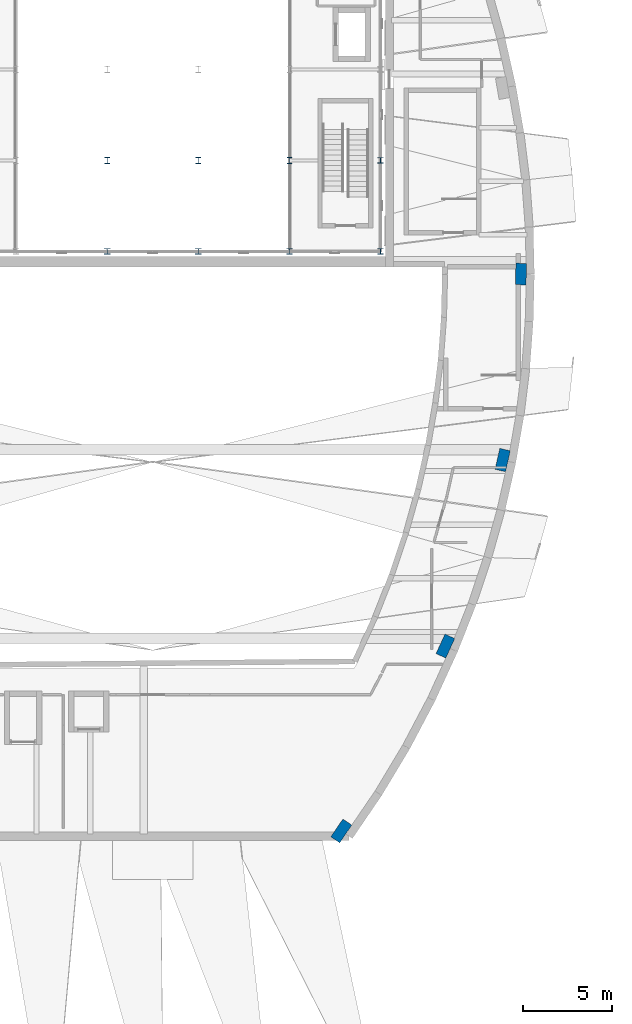
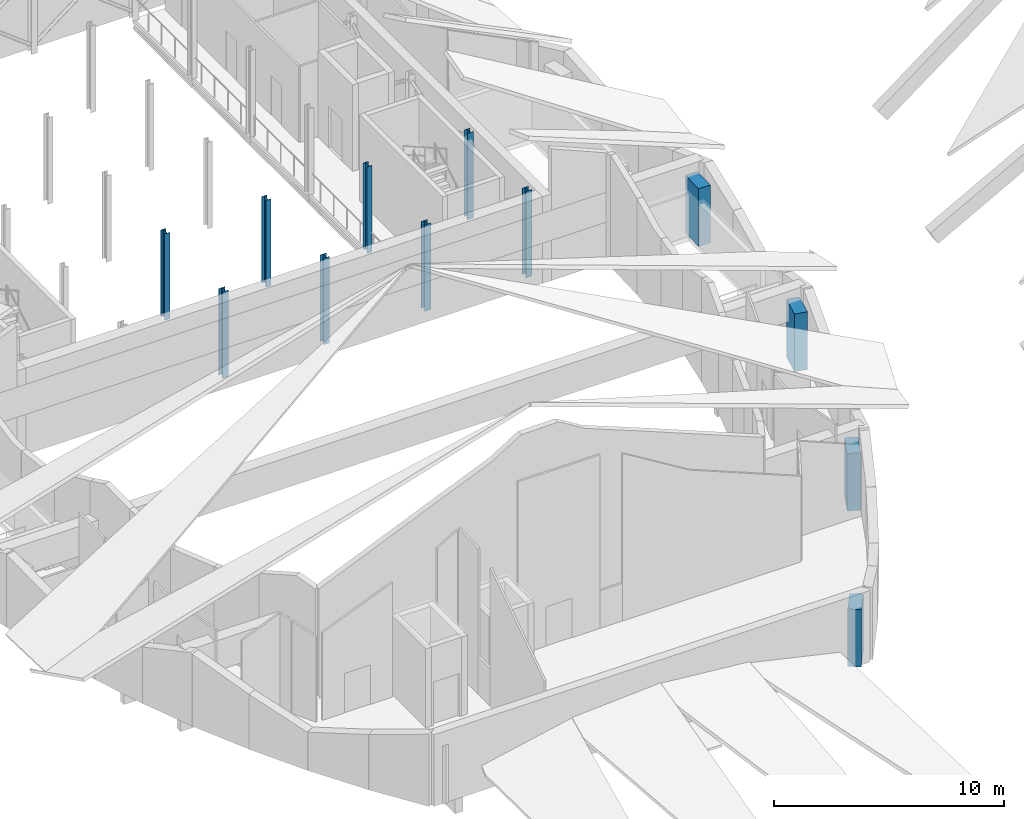
# One storey, part 3 of 17: 12 columns.
"""IFC4 building model written with IfcOpenShell, lengths in metres."""

import ifcopenshell
import ifcopenshell.guid

model = None  # the IFC model being written
_history = None  # IfcOwnerHistory: only IFC2X3 demands one
_inside = {}  # id of a spatial element -> (the spatial element, [elements in it])
_under = {}  # id of a project, library or spatial element -> (it, [spatial elements below it])
_declared = {}  # id of a project -> (the project, [libraries it declares])
_typed = {}  # id of a type object -> (the type object, [elements of that type])
_made_of = {}  # id of a material, layer set ... -> (it, [elements and type objects made of it])


def new_model(schema):
    """Start an empty IFC model of exactly this schema.

    Asked for "IFC4X3", IfcOpenShell would pick the latest addendum, in which some entities
    have other attributes; the version numbers below select the first issue.
    IFC2X3 requires an IfcOwnerHistory on every rooted entity: one is made here for all.
    """
    global model, _history
    if schema == "IFC4X3":
        model = ifcopenshell.file(schema_version=(4, 3, 0, 0))
    else:
        model = ifcopenshell.file(schema=schema)
    _inside.clear()
    _under.clear()
    _declared.clear()
    _typed.clear()
    _made_of.clear()
    _history = None
    if model.schema == "IFC2X3":
        org = make("IfcOrganization", Name="unknown")
        user = make(
            "IfcPersonAndOrganization",
            ThePerson=make("IfcPerson", FamilyName="unknown"),
            TheOrganization=org,
        )
        app = make(
            "IfcApplication",
            ApplicationDeveloper=org,
            Version="unknown",
            ApplicationFullName="unknown",
            ApplicationIdentifier="unknown",
        )
        _history = make(
            "IfcOwnerHistory",
            OwningUser=user,
            OwningApplication=app,
            ChangeAction="ADDED",
            CreationDate=0,
        )
    return model


def make(cls, **values):
    """One entity of the class cls with the attributes given. An attribute that is None is left unset."""
    return model.create_entity(
        cls, **{name: value for name, value in values.items() if value is not None}
    )


def rooted(cls, **values):
    """An entity with a GlobalId (a new one), such as an element, a storey or a relation."""
    return make(cls, GlobalId=ifcopenshell.guid.new(), OwnerHistory=_history, **values)


def si_unit(unit_type, name, prefix=None):
    """IfcSIUnit, for example si_unit("LENGTHUNIT", "METRE", prefix="MILLI")."""
    return make("IfcSIUnit", UnitType=unit_type, Prefix=prefix, Name=name)


def assignment(units):
    """IfcUnitAssignment: the units of a project."""
    return None if units is None else make("IfcUnitAssignment", Units=units)


def point(xyz):
    """IfcCartesianPoint."""
    return None if xyz is None else make("IfcCartesianPoint", Coordinates=xyz)


def direction(xyz):
    """IfcDirection."""
    return None if xyz is None else make("IfcDirection", DirectionRatios=xyz)


def frame(location, z_axis=None, x_axis=None):
    """IfcAxis2Placement3D, a coordinate frame: its origin and axes. An axis left out is left unset."""
    return make(
        "IfcAxis2Placement3D",
        Location=point(location),
        Axis=direction(z_axis),
        RefDirection=direction(x_axis),
    )


def frame_2d(location, x_axis=None):
    """IfcAxis2Placement2D, a coordinate frame in the plane: its origin and x axis."""
    return make(
        "IfcAxis2Placement2D", Location=point(location), RefDirection=direction(x_axis)
    )


def origin():
    """The frame at (0, 0, 0) with its axes left unset."""
    return frame((0.0, 0.0, 0.0))


def origin_2d():
    """The frame at (0, 0) in the plane with its x axis left unset."""
    return frame_2d((0.0, 0.0))


def place(relative_to, where):
    """IfcLocalPlacement: puts the frame where relative to a parent placement (None: the world)."""
    return make(
        "IfcLocalPlacement", PlacementRelTo=relative_to, RelativePlacement=where
    )


def context(
    kind, dimensions, precision=None, world=None, true_north=None, identifier=None
):
    """IfcGeometricRepresentationContext, for example the 3D "Model" context."""
    return make(
        "IfcGeometricRepresentationContext",
        ContextIdentifier=identifier,
        ContextType=kind,
        CoordinateSpaceDimension=dimensions,
        Precision=precision,
        WorldCoordinateSystem=world,
        TrueNorth=true_north,
    )


def subcontext(parent, identifier, kind, view, scale=None):
    """IfcGeometricRepresentationSubContext, for example "Body" below "Model"."""
    return make(
        "IfcGeometricRepresentationSubContext",
        ContextIdentifier=identifier,
        ContextType=kind,
        ParentContext=parent,
        TargetScale=scale,
        TargetView=view,
    )


def project(units=None, contexts=None):
    """IfcProject with its units and contexts."""
    return rooted(
        "IfcProject",
        Name="project",
        RepresentationContexts=contexts,
        UnitsInContext=assignment(units),
    )


def spatial(cls, under=None, at=None, **own):
    """A site, building, storey or space (cls), placed at a placement, below another one or the project."""
    s = rooted(cls, ObjectPlacement=at, **own)
    if under is not None:
        _under.setdefault(under.id(), (under, []))[1].append(s)
    return s


def profile(cls, at=None, kind="AREA", **sizes):
    """A parametric profile (cls). Its sizes go by their IFC names, for example OverallWidth=200.0."""
    return make(cls, ProfileType=kind, Position=at, **sizes)


def rectangle(**sizes):
    """IfcRectangleProfileDef."""
    return profile("IfcRectangleProfileDef", **sizes)


def i_section(**sizes):
    """IfcIShapeProfileDef."""
    return profile("IfcIShapeProfileDef", **sizes)


def extrude(swept, where, along, depth):
    """IfcExtrudedAreaSolid: the profile swept, set in the frame where, extruded along a direction by depth."""
    return make(
        "IfcExtrudedAreaSolid",
        SweptArea=swept,
        Position=where,
        ExtrudedDirection=direction(along),
        Depth=depth,
    )


def shape(context_of_items, identifier, shape_type, items):
    """IfcShapeRepresentation: the items that make up one representation, for example the "Body"."""
    return make(
        "IfcShapeRepresentation",
        ContextOfItems=context_of_items,
        RepresentationIdentifier=identifier,
        RepresentationType=shape_type,
        Items=items,
    )


def material(Name=None, Category=None):
    """IfcMaterial."""
    return make("IfcMaterial", Name=Name, Category=Category)


def material_profile(
    of_material, cross_section, Name=None, Category=None, Priority=None
):
    """IfcMaterialProfile: a cross section and its material."""
    return make(
        "IfcMaterialProfile",
        Name=Name,
        Material=of_material,
        Profile=cross_section,
        Priority=Priority,
        Category=Category,
    )


def profile_set(profiles, Name=None, composite=None):
    """IfcMaterialProfileSet."""
    return make(
        "IfcMaterialProfileSet",
        Name=Name,
        MaterialProfiles=profiles,
        CompositeProfile=composite,
    )


def made_of(thing, what):
    """Note that an element or type object is made of a material, layer set ...; save() writes the relation."""
    if what is not None:
        _made_of.setdefault(what.id(), (what, []))[1].append(thing)
    return thing


def type_object(cls, material=None, **own):
    """A type object (cls), such as IfcWallType, which elements share."""
    return made_of(rooted(cls, **own), material)


def element(
    cls,
    number,
    at=None,
    inside=None,
    cuts=None,
    type_object=None,
    material=None,
    context=None,
    identifier="Body",
    shape_type=None,
    held_by="IfcProductDefinitionShape",
    body=None,
    shapes=None,
    **own,
):
    """One element of the class cls, such as IfcWall. Its Tag is "e" and its number.

    at: its placement. inside: the storey or other place that contains it. cuts: it is an
    opening in that element (IfcRelVoidsElement). A single representation is given by context,
    identifier, shape_type and body (its items); several are given by shapes. held_by: the class
    of the entity that holds the representations. save() writes the other relations.
    """
    e = rooted(cls, Tag="e%d" % number, ObjectPlacement=at, **own)
    if body is not None:
        shapes = [shape(context, identifier, shape_type, body)]
    if shapes is not None:
        e.Representation = make(held_by, Representations=shapes)
    if inside is not None:
        _inside.setdefault(inside.id(), (inside, []))[1].append(e)
    if cuts is not None:
        rooted(
            "IfcRelVoidsElement", RelatingBuildingElement=cuts, RelatedOpeningElement=e
        )
    if type_object is not None:
        _typed.setdefault(type_object.id(), (type_object, []))[1].append(e)
    return made_of(e, material)


def aggregate(whole, parts):
    """IfcRelAggregates: a whole, such as a stair, and the parts it consists of."""
    return rooted("IfcRelAggregates", RelatingObject=whole, RelatedObjects=parts)


def save(model, path):
    """Write the relations noted so far, then the file.

    IfcRelAggregates (storeys below a building ...), IfcRelContainedInSpatialStructure (elements
    in a storey), IfcRelDefinesByType, IfcRelAssociatesMaterial and IfcRelDeclares: one each for
    every whole, place, type object, material and project.
    """
    for whole, parts in _under.values():
        aggregate(whole, parts)
    for where, things in _inside.values():
        rooted(
            "IfcRelContainedInSpatialStructure",
            RelatedElements=things,
            RelatingStructure=where,
        )
    for kind, things in _typed.values():
        rooted("IfcRelDefinesByType", RelatedObjects=things, RelatingType=kind)
    for what, things in _made_of.values():
        rooted("IfcRelAssociatesMaterial", RelatedObjects=things, RelatingMaterial=what)
    for by, libraries in _declared.values():
        rooted("IfcRelDeclares", RelatingContext=by, RelatedDefinitions=libraries)
    model.write(path)


model = new_model("IFC4")

# Units and contexts
model_context = context("Model", 3, precision=1e-05, world=origin(), true_north=direction((0.0, 1.0)))
body_context = subcontext(model_context, "Body", "Model", "MODEL_VIEW")
ifc_project = project(units=[si_unit("LENGTHUNIT", "METRE"), si_unit("AREAUNIT", "SQUARE_METRE"), si_unit("VOLUMEUNIT", "CUBIC_METRE"), si_unit("PLANEANGLEUNIT", "RADIAN"), si_unit("MASSUNIT", "GRAM", prefix="KILO")], contexts=[model_context])

# Site, building, storey
site_placement = place(None, origin())
site = spatial("IfcSite", under=ifc_project, at=site_placement, CompositionType="ELEMENT")
building_placement = place(site_placement, origin())
building = spatial("IfcBuilding", under=site, at=building_placement, Name="Tide Square Theatres", CompositionType="ELEMENT")
storey_placement = place(building_placement, frame((0.0, 0.0, 14.800048828125)))
storey = spatial("IfcBuildingStorey", under=building, at=storey_placement, Name="L03", CompositionType="ELEMENT", Elevation=14.800048828125)

# Columns
ifc_material_1 = material(Name="Concrete C40", Category="concrete")
ifc_material_profile_1 = material_profile(ifc_material_1, rectangle(XDim=1.199951171875, YDim=0.60009765625, at=origin_2d()))
ifc_profile_set_1 = profile_set([ifc_material_profile_1], Name="Concrete C40")
column_type_1 = type_object("IfcColumnType", Name="RC pier 1200 x 600", PredefinedType="PILASTER", material=ifc_profile_set_1)
column_1_placement = place(storey_placement, frame((94.5400390625, 23.878173828125, 0.0), z_axis=(0.0, 0.0, 1.0), x_axis=(0.562978035902, 0.82647185741, 0.0)))
element("IfcColumn", 1, at=column_1_placement, inside=storey, type_object=column_type_1, Name="Rib foot pier", PredefinedType="PILASTER", context=body_context, shape_type="SweptSolid", body=[
    extrude(rectangle(XDim=1.199951171875, YDim=0.60009765625, at=origin_2d()), origin(), (0.0, 0.0, 1.0), 3.058837890625),
])
column_2_placement = place(storey_placement, frame((100.35986328125, 34.2119140625, 0.0), z_axis=(0.0, 0.0, 1.0), x_axis=(0.416344267901, 0.90920704495, 0.0)))
element("IfcColumn", 2, at=column_2_placement, inside=storey, type_object=column_type_1, Name="Rib foot pier", PredefinedType="PILASTER", context=body_context, shape_type="SweptSolid", body=[
    extrude(rectangle(XDim=1.199951171875, YDim=0.60009765625, at=origin_2d()), origin(), (0.0, 0.0, 1.0), 3.059814453125),
])
column_3_placement = place(storey_placement, frame((103.56201171875, 44.6123046875, 0.0), z_axis=(0.0, 0.0, 1.0), x_axis=(0.220356962886, 0.975419299024, 0.0)))
element("IfcColumn", 3, at=column_3_placement, inside=storey, type_object=column_type_1, Name="Rib foot pier", PredefinedType="PILASTER", context=body_context, shape_type="SweptSolid", body=[
    extrude(rectangle(XDim=1.199951171875, YDim=0.60009765625, at=origin_2d()), origin(), (0.0, 0.0, 1.0), 3.068359375),
])
column_4_placement = place(storey_placement, frame((104.585205078125, 55.012939453125, 0.0), z_axis=(0.0, 0.0, 1.0), x_axis=(0.024571762574, 0.999698068661, 0.0)))
element("IfcColumn", 4, at=column_4_placement, inside=storey, type_object=column_type_1, Name="Rib foot pier", PredefinedType="PILASTER", context=body_context, shape_type="SweptSolid", body=[
    extrude(rectangle(XDim=1.199951171875, YDim=0.60009765625, at=origin_2d()), origin(), (0.0, 0.0, 1.0), 3.071533203125),
])
ifc_material_2 = material(Name="Steel ASTM A572 Grade 50", Category="steel")
ifc_material_profile_2 = material_profile(ifc_material_2, i_section(OverallWidth=0.31201171875, OverallDepth=0.31201171875, WebThickness=0.017333984375, FlangeThickness=0.017333984375, FilletRadius=0.01611328125, at=origin_2d()))
ifc_profile_set_2 = profile_set([ifc_material_profile_2], Name="Steel ASTM A572 Grade 50")
column_type_2 = type_object("IfcColumnType", Name="Steel column HP 310 x 125.0", PredefinedType="COLUMN", material=ifc_profile_set_2)
for number, where, z_axis, x_axis, name in (
    (5, (81.455078125, 56.27587890625, 0.0), (0.0, 0.0, 1.0), (1.0, 0.0, 0.0), "Fly tower column"),
    (6, (86.544921875, 56.27587890625, 0.0), (0.0, 0.0, 1.0), (1.0, 0.0, 0.0), "Fly tower column"),
    (7, (91.634521484375, 56.27587890625, 0.0), (0.0, 0.0, 1.0), (1.0, 0.0, 0.0), "Fly tower column"),
    (8, (96.72412109375, 56.27587890625, 0.0), (0.0, 0.0, 1.0), (1.0, 0.0, 0.0), "Fly tower column"),
    (9, (96.72412109375, 61.365478515625, 0.0), (0.0, 0.0, 1.0), (1.0, 0.0, 0.0), "Fly tower column"),
):
    element("IfcColumn", number, at=place(storey_placement, frame(where, z_axis=z_axis, x_axis=x_axis)), inside=storey, type_object=column_type_2, Name=name, PredefinedType="COLUMN", context=body_context, shape_type="SweptSolid", body=[
        extrude(i_section(OverallWidth=0.31201171875, OverallDepth=0.31201171875, WebThickness=0.017333984375, FlangeThickness=0.017333984375, FilletRadius=0.01611328125, at=origin_2d()), origin(), (0.0, 0.0, 1.0), 4.599853515625),
    ])
ifc_material_3 = material(Name="Steel ASTM A572 Grade 50", Category="steel")
ifc_material_profile_3 = material_profile(ifc_material_3, i_section(OverallWidth=0.257080078125, OverallDepth=0.363037109375, WebThickness=0.012939453125, FlangeThickness=0.021728515625, FilletRadius=0.01611328125, at=origin_2d()))
ifc_profile_set_3 = profile_set([ifc_material_profile_3], Name="Steel ASTM A572 Grade 50")
column_type_3 = type_object("IfcColumnType", Name="Steel column W 360 x 122.0", PredefinedType="COLUMN", material=ifc_profile_set_3)
for number, where, z_axis, x_axis, name in (
    (10, (81.455078125, 61.365478515625, 0.0), (0.0, 0.0, 1.0), (1.0, 0.0, 0.0), "Fly tower column"),
    (11, (86.544921875, 61.365478515625, 0.0), (0.0, 0.0, 1.0), (1.0, 0.0, 0.0), "Fly tower column"),
    (12, (91.634521484375, 61.365478515625, 0.0), (0.0, 0.0, 1.0), (1.0, 0.0, 0.0), "Fly tower column"),
):
    element("IfcColumn", number, at=place(storey_placement, frame(where, z_axis=z_axis, x_axis=x_axis)), inside=storey, type_object=column_type_3, Name=name, PredefinedType="COLUMN", context=body_context, shape_type="SweptSolid", body=[
        extrude(i_section(OverallWidth=0.257080078125, OverallDepth=0.363037109375, WebThickness=0.012939453125, FlangeThickness=0.021728515625, FilletRadius=0.01611328125, at=origin_2d()), origin(), (0.0, 0.0, 1.0), 4.599853515625),
    ])

save(model, "model.ifc")
